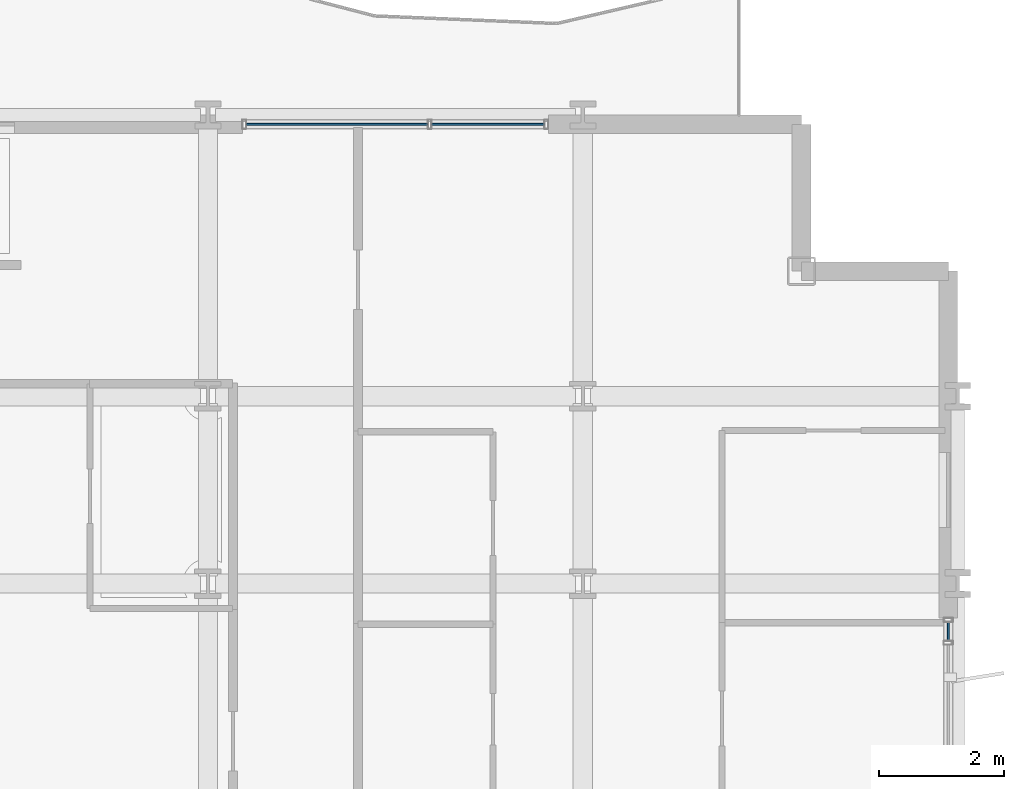
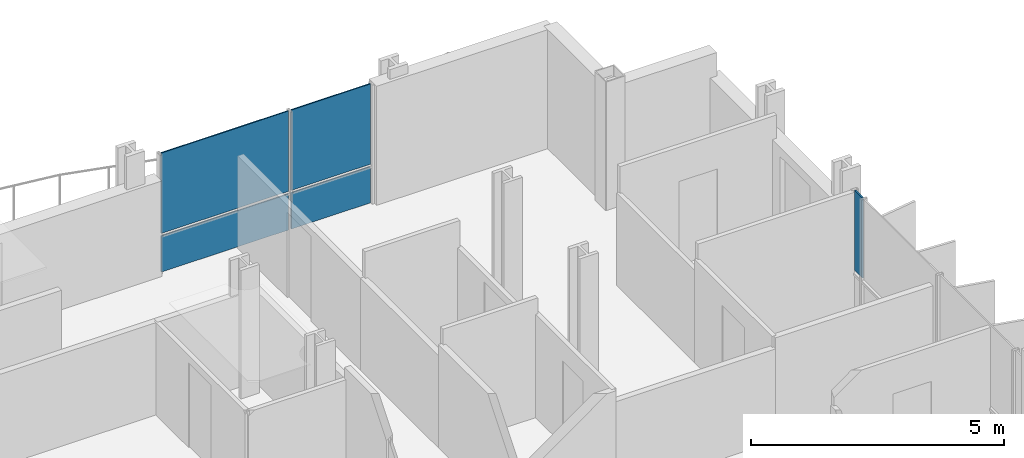
# One storey, part 24 of 39: 5 plates, 2 elements without a shape of their own.
"""IFC4 building model written with IfcOpenShell, lengths in metres."""

from ifc_helpers import new_model, si_unit, direction, frame, origin, origin_2d, place, context, subcontext, project, spatial, rectangle, extrude, material, layer, layer_set, type_object, element, aggregate, save


model = new_model("IFC4")

# Units and contexts
model_context = context("Model", 3, precision=1e-05, world=origin(), true_north=direction((0.0, 1.0)))
body_context = subcontext(model_context, "Body", "Model", "MODEL_VIEW")
ifc_project = project(units=[si_unit("LENGTHUNIT", "METRE"), si_unit("AREAUNIT", "SQUARE_METRE"), si_unit("VOLUMEUNIT", "CUBIC_METRE"), si_unit("PLANEANGLEUNIT", "RADIAN"), si_unit("MASSUNIT", "GRAM", prefix="KILO")], contexts=[model_context])

# Site, building, storey
site_placement = place(None, origin())
site = spatial("IfcSite", under=ifc_project, at=site_placement, CompositionType="ELEMENT")
building_placement = place(site_placement, origin())
building = spatial("IfcBuilding", under=site, at=building_placement, Name="Brevholm Reach", CompositionType="ELEMENT")
storey_placement = place(building_placement, frame((0.0, 0.0, 40.39990234375)))
storey = spatial("IfcBuildingStorey", under=building, at=storey_placement, Name="L10", CompositionType="ELEMENT", Elevation=40.39990234375)

# Curtain wall, plate
ifc_material_1 = material(Name="Dark Anodised Aluminium 6063-T6 and Solar-Control Glass", Category="aluminium")
ifc_layer_1 = layer(ifc_material_1, 0.14990234375)
ifc_layer_set_1 = layer_set([ifc_layer_1], Name="Dark Anodised Aluminium 6063-T6 and Solar-Control Glass")
curtain_wall_type = type_object("IfcCurtainWallType", Name="CW-01", PredefinedType="NOTDEFINED", material=ifc_layer_set_1)
curtain_wall_1_placement = place(storey_placement, origin())
curtain_wall_1 = element("IfcCurtainWall", 1, at=curtain_wall_1_placement, inside=storey, type_object=curtain_wall_type, Name="L10 Curtain Wall CW-01", PredefinedType="NOTDEFINED")
ifc_material_2 = material(Name="Dark Solar-Control Double-Glazed IGU Glass", Category="glass")
ifc_layer_2 = layer(ifc_material_2, 0.028076171875)
ifc_layer_set_2 = layer_set([ifc_layer_2], Name="Dark Solar-Control Double-Glazed IGU Glass")
plate_type = type_object("IfcPlateType", Name="CWP-GLZ-28", PredefinedType="CURTAIN_PANEL", material=ifc_layer_set_2)
plate_1_placement = place(storey_placement, frame((59.85009765625, 22.733642578125, 0.9326171875), z_axis=(0.0, 0.0, 1.0), x_axis=(0.0, 1.0, 0.0)))
plate_1 = element("IfcPlate", 2, at=plate_1_placement, type_object=plate_type, Name="CP-01 Glazing Panel 5.2", PredefinedType="CURTAIN_PANEL", context=body_context, shape_type="SweptSolid", body=[
    extrude(rectangle(XDim=0.302490234375, YDim=0.028076171875, at=origin_2d()), origin(), (0.0, 0.0, 1.0), 1.9375),
])
aggregate(curtain_wall_1, [plate_1])

# Curtain wall, plates
curtain_wall_2_placement = place(storey_placement, origin())
curtain_wall_2 = element("IfcCurtainWall", 3, at=curtain_wall_2_placement, inside=storey, type_object=curtain_wall_type, Name="L10 Curtain Wall CW-01", PredefinedType="NOTDEFINED")
plate_2_placement = place(storey_placement, frame((50.066162109375, 30.85009765625, 0.0), z_axis=(0.0, 0.0, 1.0), x_axis=(1.0, 0.0, 0.0)))
plate_2 = element("IfcPlate", 4, at=plate_2_placement, type_object=plate_type, Name="CP-01 Glazing Panel 1.1", PredefinedType="CURTAIN_PANEL", context=body_context, shape_type="SweptSolid", body=[
    extrude(rectangle(XDim=2.902587890625, YDim=0.028076171875, at=origin_2d()), origin(), (0.0, 0.0, 1.0), 0.867431640625),
])
plate_3_placement = place(storey_placement, frame((50.066162109375, 30.85009765625, 0.9326171875), z_axis=(0.0, 0.0, 1.0), x_axis=(1.0, 0.0, 0.0)))
plate_3 = element("IfcPlate", 5, at=plate_3_placement, type_object=plate_type, Name="CP-01 Glazing Panel 1.2", PredefinedType="CURTAIN_PANEL", context=body_context, shape_type="SweptSolid", body=[
    extrude(rectangle(XDim=2.902587890625, YDim=0.028076171875, at=origin_2d()), origin(), (0.0, 0.0, 1.0), 1.9375),
])
plate_4_placement = place(storey_placement, frame((52.483642578125, 30.85009765625, 0.0), z_axis=(0.0, 0.0, 1.0), x_axis=(1.0, 0.0, 0.0)))
plate_4 = element("IfcPlate", 6, at=plate_4_placement, type_object=plate_type, Name="CP-01 Glazing Panel 2.1", PredefinedType="CURTAIN_PANEL", context=body_context, shape_type="SweptSolid", body=[
    extrude(rectangle(XDim=1.802490234375, YDim=0.028076171875, at=origin_2d()), origin(), (0.0, 0.0, 1.0), 0.867431640625),
])
plate_5_placement = place(storey_placement, frame((52.483642578125, 30.85009765625, 0.9326171875), z_axis=(0.0, 0.0, 1.0), x_axis=(1.0, 0.0, 0.0)))
plate_5 = element("IfcPlate", 7, at=plate_5_placement, type_object=plate_type, Name="CP-01 Glazing Panel 2.2", PredefinedType="CURTAIN_PANEL", context=body_context, shape_type="SweptSolid", body=[
    extrude(rectangle(XDim=1.802490234375, YDim=0.028076171875, at=origin_2d()), origin(), (0.0, 0.0, 1.0), 1.9375),
])
aggregate(curtain_wall_2, [plate_2, plate_3, plate_4, plate_5])

save(model, "model.ifc")
